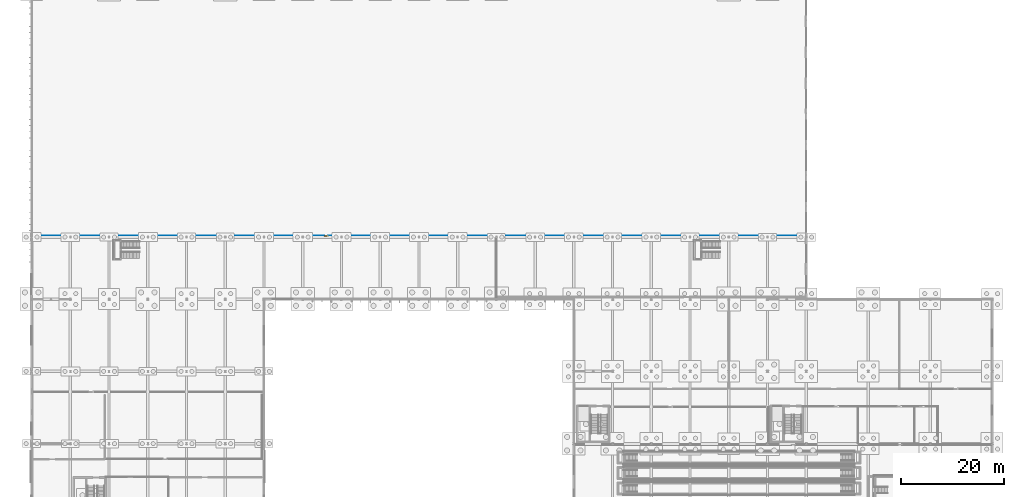
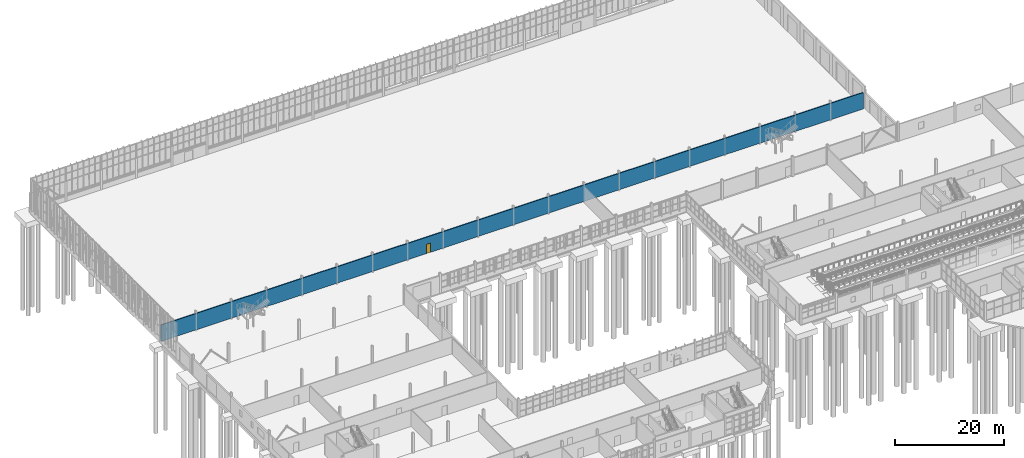
# One storey, part 111 of 136: 1 door, 1 wall, 1 opening.
"""IFC4 building model written with IfcOpenShell, lengths in metres."""

from ifc_helpers import new_model, si_unit, direction, frame, frame_2d, origin, place, context, subcontext, project, spatial, rectangle, extrude, material, layer, layer_set, type_object, element, fill, save


model = new_model("IFC4")

# Units and contexts
model_context = context("Model", 3, precision=1e-05, world=origin(), true_north=direction((0.0, 1.0)))
body_context = subcontext(model_context, "Body", "Model", "MODEL_VIEW")
ifc_project = project(units=[si_unit("LENGTHUNIT", "METRE"), si_unit("AREAUNIT", "SQUARE_METRE"), si_unit("VOLUMEUNIT", "CUBIC_METRE"), si_unit("PLANEANGLEUNIT", "RADIAN"), si_unit("MASSUNIT", "GRAM", prefix="KILO")], contexts=[model_context])

# Site, building, storey
site_placement = place(None, origin())
site = spatial("IfcSite", under=ifc_project, at=site_placement, CompositionType="ELEMENT")
building_placement = place(site_placement, origin())
building = spatial("IfcBuilding", under=site, at=building_placement, Name="Solvenia Promenade Tram Depot", CompositionType="ELEMENT")
storey_placement = place(building_placement, origin())
storey = spatial("IfcBuildingStorey", under=building, at=storey_placement, Name="L00", CompositionType="ELEMENT", Elevation=0.0)

# Wall, opening, door
ifc_material_1 = material(Name="Concrete blockwork masonry", Category="masonry")
ifc_layer = layer(ifc_material_1, 0.18505859375, Name="Concrete blockwork masonry", Category="masonry")
ifc_layer_set = layer_set([ifc_layer], Name="Concrete blockwork masonry")
wall_type = type_object("IfcWallType", Name="Wall-Masonry-185", PredefinedType="PARTITIONING", material=ifc_layer_set)
wall_placement = place(storey_placement, frame((0.159912109375, 78.199951171875, 0.0), z_axis=(0.0, 0.0, 1.0), x_axis=(1.0, 0.0, 0.0)))
wall = element("IfcWall", 1, at=wall_placement, inside=storey, type_object=wall_type, Name="Depot Stabling Shed Partition WP-L00-001", PredefinedType="PARTITIONING", context=body_context, shape_type="SweptSolid", body=[
    extrude(rectangle(XDim=149.440185546875, YDim=0.18505859375, at=frame_2d((74.72021484375, 0.0))), origin(), (0.0, 0.0, 1.0), 3.699951171875),
])
opening_placement = place(wall_placement, frame((56.4599609375, 0.0, 0.0)))
opening = element("IfcOpeningElement", 2, at=opening_placement, cuts=wall, Name="Opening DR-01", PredefinedType="OPENING", context=body_context, shape_type="SweptSolid", body=[
    extrude(rectangle(XDim=0.860107421875, YDim=2.080078125, at=frame_2d((0.43017578125, 1.0400390625))), frame((0.0, 0.1025390625, 0.0), z_axis=(0.0, -1.0, 0.0), x_axis=(1.0, 0.0, 0.0)), (0.0, 0.0, 1.0), 0.205078125),
])
ifc_material_2 = material(Name="Galvanized painted sheet steel", Category="steel")
door_type = type_object("IfcDoorType", Name="Door-Room-860x2080", OperationType="NOTDEFINED", PredefinedType="DOOR", material=ifc_material_2)
door_placement = place(opening_placement, origin())
door = element("IfcDoor", 3, at=door_placement, inside=storey, type_object=door_type, Name="Door to Depot Stabling Shed", OperationType="SINGLE_SWING_LEFT", OverallHeight=2.080078125, OverallWidth=0.860107421875, PredefinedType="DOOR", context=body_context, shape_type="SweptSolid", body=[
    extrude(rectangle(XDim=0.860107421875, YDim=2.080078125, at=frame_2d((0.43017578125, 1.0400390625))), frame((0.0, 0.02490234375, 0.0), z_axis=(0.0, -1.0, 0.0), x_axis=(1.0, 0.0, 0.0)), (0.0, 0.0, 1.0), 0.050048828125),
])
fill(opening, door)

save(model, "model.ifc")
